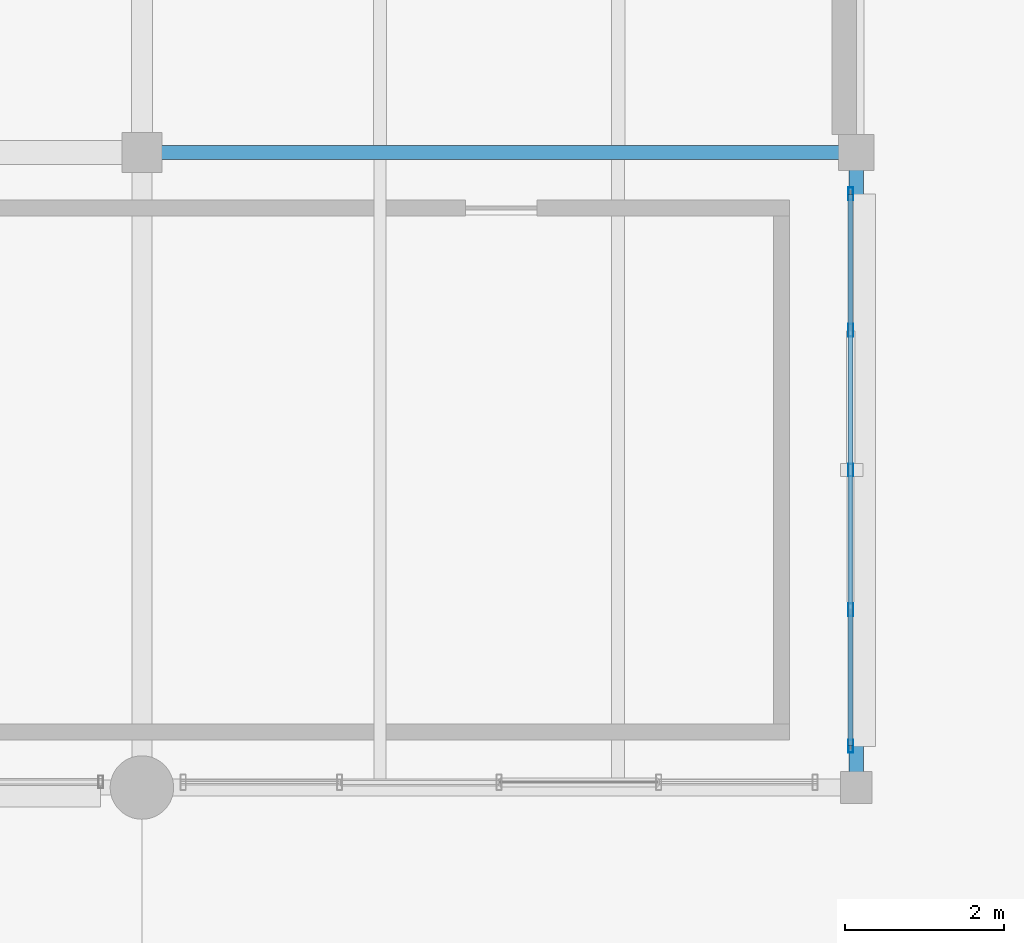
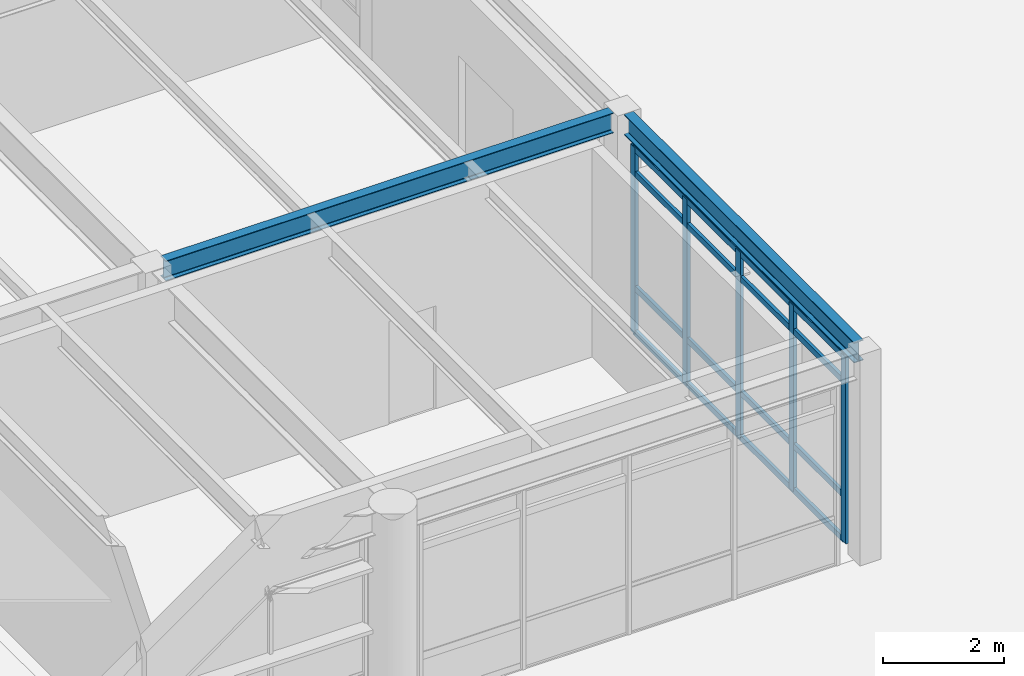
# One storey, part 77 of 168: 9 members, 2 beams, 1 element without a shape of its own.
"""IFC4 building model written with IfcOpenShell, lengths in metres."""

from ifc_helpers import new_model, si_unit, direction, frame, origin, origin_2d, place, context, subcontext, project, spatial, hollow_rectangle, i_section, extrude, material, material_profile, profile_set, type_object, element, aggregate, save


model = new_model("IFC4")

# Units and contexts
model_context = context("Model", 3, precision=1e-05, world=origin(), true_north=direction((0.0, 1.0)))
body_context = subcontext(model_context, "Body", "Model", "MODEL_VIEW")
ifc_project = project(units=[si_unit("LENGTHUNIT", "METRE"), si_unit("AREAUNIT", "SQUARE_METRE"), si_unit("VOLUMEUNIT", "CUBIC_METRE"), si_unit("PLANEANGLEUNIT", "RADIAN"), si_unit("MASSUNIT", "GRAM", prefix="KILO"), si_unit("THERMODYNAMICTEMPERATUREUNIT", "KELVIN"), si_unit("POWERUNIT", "WATT")], contexts=[model_context])

# Site, building, storey
site_placement = place(None, origin())
site = spatial("IfcSite", under=ifc_project, at=site_placement, CompositionType="ELEMENT")
building_placement = place(site_placement, origin())
building = spatial("IfcBuilding", under=site, at=building_placement, Name="Tepalcoro Natatorium and Aquatics Centre", CompositionType="ELEMENT")
storey_placement = place(building_placement, frame((0.0, 0.0, 10.199951171875)))
storey = spatial("IfcBuildingStorey", under=building, at=storey_placement, Name="L02", CompositionType="ELEMENT", Elevation=10.199951171875)

# Beam
ifc_material_1 = material(Name="Steel ASTM A992 Grade 50 (Fy 345 MPa)", Category="steel")
ifc_material_profile_1 = material_profile(ifc_material_1, i_section(OverallWidth=0.177978515625, OverallDepth=0.406005859375, WebThickness=0.008056640625, FlangeThickness=0.012939453125, FilletRadius=0.013916015625, at=origin_2d()), Name="W16X40")
ifc_profile_set_1 = profile_set([ifc_material_profile_1], Name="Steel ASTM A992 Grade 50 (Fy 345 MPa)")
beam_type_1 = type_object("IfcBeamType", Name="BM_W16x40", PredefinedType="BEAM", material=ifc_profile_set_1)
beam_1_placement = place(storey_placement, frame((53.235107421875, 102.0, 4.031982421875), z_axis=(1.0, 0.0, 0.0), x_axis=(0.0, 1.0, 0.0)))
element("IfcBeam", 1, at=beam_1_placement, inside=storey, type_object=beam_type_1, Name="V4 L02 Grid Girder X", PredefinedType="BEAM", context=body_context, shape_type="SweptSolid", body=[
    extrude(i_section(OverallWidth=0.177978515625, OverallDepth=0.406005859375, WebThickness=0.008056640625, FlangeThickness=0.012939453125, FilletRadius=0.013916015625, at=origin_2d()), origin(), (0.0, 0.0, 1.0), 8.554931640625),
])

# Curtain wall, members
ifc_material_2 = material(Name="Bronze-Anodised Extruded Aluminium Alloy EN AW-6063 T6", Category="aluminium")
curtain_wall_type = type_object("IfcCurtainWallType", Name="CW_LEAN_T1_EW", PredefinedType="USERDEFINED", material=ifc_material_2)
curtain_wall_placement = place(storey_placement, origin())
curtain_wall = element("IfcCurtainWall", 2, at=curtain_wall_placement, inside=storey, type_object=curtain_wall_type, Name="V4 L02 E Unitised Curtain Wall Bay 1", ObjectType="FACETED SOLAR GLAZING", PredefinedType="USERDEFINED")
ifc_material_profile_2 = material_profile(ifc_material_2, hollow_rectangle(XDim=0.06005859375, YDim=0.159912109375, WallThickness=0.00390625, at=origin_2d()), Name="AL60X160X4")
ifc_profile_set_2 = profile_set([ifc_material_profile_2], Name="Bronze-Anodised Extruded Aluminium Alloy EN AW-6063 T6")
member_type_1 = type_object("IfcMemberType", Name="CW_MUL_60x160", PredefinedType="MULLION", material=ifc_profile_set_2)
member_1_placement = place(storey_placement, frame((61.9287109375, 94.52001953125, 0.02001953125), z_axis=(0.0, 0.0, 1.0), x_axis=(1.0, 0.0, 0.0)))
member_1 = element("IfcMember", 3, at=member_1_placement, type_object=member_type_1, Name="CW_LEAN_T1_EW Curtain Wall Mullion", PredefinedType="MULLION", context=body_context, shape_type="SweptSolid", body=[
    extrude(hollow_rectangle(XDim=0.06005859375, YDim=0.159912109375, WallThickness=0.00390625, at=origin_2d()), origin(), (0.0, 0.0, 1.0), 3.76708984375),
])
member_2_placement = place(storey_placement, frame((61.9287109375, 96.239990234375, 0.02001953125), z_axis=(0.0, 0.0, 1.0), x_axis=(1.0, 0.0, 0.0)))
member_2 = element("IfcMember", 4, at=member_2_placement, type_object=member_type_1, Name="CW_LEAN_T1_EW Curtain Wall Mullion", PredefinedType="MULLION", context=body_context, shape_type="SweptSolid", body=[
    extrude(hollow_rectangle(XDim=0.06005859375, YDim=0.159912109375, WallThickness=0.00390625, at=origin_2d()), origin(), (0.0, 0.0, 1.0), 3.76708984375),
])
member_3_placement = place(storey_placement, frame((61.9287109375, 98.0, 0.02001953125), z_axis=(0.0, 0.0, 1.0), x_axis=(1.0, 0.0, 0.0)))
member_3 = element("IfcMember", 5, at=member_3_placement, type_object=member_type_1, Name="CW_LEAN_T1_EW Curtain Wall Mullion", PredefinedType="MULLION", context=body_context, shape_type="SweptSolid", body=[
    extrude(hollow_rectangle(XDim=0.06005859375, YDim=0.159912109375, WallThickness=0.00390625, at=origin_2d()), origin(), (0.0, 0.0, 1.0), 3.76708984375),
])
member_4_placement = place(storey_placement, frame((61.9287109375, 99.760009765625, 0.02001953125), z_axis=(0.0, 0.0, 1.0), x_axis=(1.0, 0.0, 0.0)))
member_4 = element("IfcMember", 6, at=member_4_placement, type_object=member_type_1, Name="CW_LEAN_T1_EW Curtain Wall Mullion", PredefinedType="MULLION", context=body_context, shape_type="SweptSolid", body=[
    extrude(hollow_rectangle(XDim=0.06005859375, YDim=0.159912109375, WallThickness=0.00390625, at=origin_2d()), origin(), (0.0, 0.0, 1.0), 3.76708984375),
])
member_5_placement = place(storey_placement, frame((61.9287109375, 101.47998046875, 0.02001953125), z_axis=(0.0, 0.0, 1.0), x_axis=(1.0, 0.0, 0.0)))
member_5 = element("IfcMember", 7, at=member_5_placement, type_object=member_type_1, Name="CW_LEAN_T1_EW Curtain Wall Mullion", PredefinedType="MULLION", context=body_context, shape_type="SweptSolid", body=[
    extrude(hollow_rectangle(XDim=0.06005859375, YDim=0.159912109375, WallThickness=0.00390625, at=origin_2d()), origin(), (0.0, 0.0, 1.0), 3.76708984375),
])
ifc_material_profile_3 = material_profile(ifc_material_2, hollow_rectangle(XDim=0.06005859375, YDim=0.1201171875, WallThickness=0.00390625, at=origin_2d()), Name="AL60X120X4")
ifc_profile_set_3 = profile_set([ifc_material_profile_3], Name="Bronze-Anodised Extruded Aluminium Alloy EN AW-6063 T6")
member_type_2 = type_object("IfcMemberType", Name="CW_TRN_60x120", PredefinedType="USERDEFINED", material=ifc_profile_set_3)
member_6_placement = place(storey_placement, frame((61.9287109375, 94.530029296875, 0.050048828125), z_axis=(0.0, 1.0, 0.0), x_axis=(-1.0, 0.0, 0.0)))
member_6 = element("IfcMember", 8, at=member_6_placement, type_object=member_type_2, Name="CW_LEAN_T1_EW Curtain Wall Transom", ObjectType="TRANSOM", PredefinedType="USERDEFINED", context=body_context, shape_type="SweptSolid", body=[
    extrude(hollow_rectangle(XDim=0.06005859375, YDim=0.1201171875, WallThickness=0.00390625, at=origin_2d()), origin(), (0.0, 0.0, 1.0), 6.93994140625),
])
member_7_placement = place(storey_placement, frame((61.9287109375, 94.530029296875, 0.949951171875), z_axis=(0.0, 1.0, 0.0), x_axis=(-1.0, 0.0, 0.0)))
member_7 = element("IfcMember", 9, at=member_7_placement, type_object=member_type_2, Name="CW_LEAN_T1_EW Curtain Wall Transom", ObjectType="TRANSOM", PredefinedType="USERDEFINED", context=body_context, shape_type="SweptSolid", body=[
    extrude(hollow_rectangle(XDim=0.06005859375, YDim=0.1201171875, WallThickness=0.00390625, at=origin_2d()), origin(), (0.0, 0.0, 1.0), 6.93994140625),
])
member_8_placement = place(storey_placement, frame((61.9287109375, 94.530029296875, 3.257080078125), z_axis=(0.0, 1.0, 0.0), x_axis=(-1.0, 0.0, 0.0)))
member_8 = element("IfcMember", 10, at=member_8_placement, type_object=member_type_2, Name="CW_LEAN_T1_EW Curtain Wall Transom", ObjectType="TRANSOM", PredefinedType="USERDEFINED", context=body_context, shape_type="SweptSolid", body=[
    extrude(hollow_rectangle(XDim=0.06005859375, YDim=0.1201171875, WallThickness=0.00390625, at=origin_2d()), origin(), (0.0, 0.0, 1.0), 6.93994140625),
])
member_9_placement = place(storey_placement, frame((61.9287109375, 94.530029296875, 3.757080078125), z_axis=(0.0, 1.0, 0.0), x_axis=(-1.0, 0.0, 0.0)))
member_9 = element("IfcMember", 11, at=member_9_placement, type_object=member_type_2, Name="CW_LEAN_T1_EW Curtain Wall Transom", ObjectType="TRANSOM", PredefinedType="USERDEFINED", context=body_context, shape_type="SweptSolid", body=[
    extrude(hollow_rectangle(XDim=0.06005859375, YDim=0.1201171875, WallThickness=0.00390625, at=origin_2d()), origin(), (0.0, 0.0, 1.0), 6.93994140625),
])
aggregate(curtain_wall, [member_1, member_2, member_3, member_4, member_5, member_6, member_7, member_8, member_9])

# Beam
ifc_material_profile_4 = material_profile(ifc_material_1, i_section(OverallWidth=0.179931640625, OverallDepth=0.4130859375, WebThickness=0.010009765625, FlangeThickness=0.01611328125, FilletRadius=0.013916015625, at=origin_2d()), Name="W16X50")
ifc_profile_set_4 = profile_set([ifc_material_profile_4], Name="Steel ASTM A992 Grade 50 (Fy 345 MPa)")
beam_type_2 = type_object("IfcBeamType", Name="SP_HSS300x200x12", PredefinedType="SPANDREL", material=ifc_profile_set_4)
beam_2_placement = place(storey_placement, frame((62.0, 94.18505859375, 4.028564453125), z_axis=(0.0, 1.0, 0.0), x_axis=(-1.0, 0.0, 0.0)))
element("IfcBeam", 12, at=beam_2_placement, inside=storey, type_object=beam_type_2, Name="V4 L02 Grid Girder Y", PredefinedType="SPANDREL", context=body_context, shape_type="SweptSolid", body=[
    extrude(i_section(OverallWidth=0.179931640625, OverallDepth=0.4130859375, WebThickness=0.010009765625, FlangeThickness=0.01611328125, FilletRadius=0.013916015625, at=origin_2d()), origin(), (0.0, 0.0, 1.0), 7.60498046875),
])

save(model, "model.ifc")
